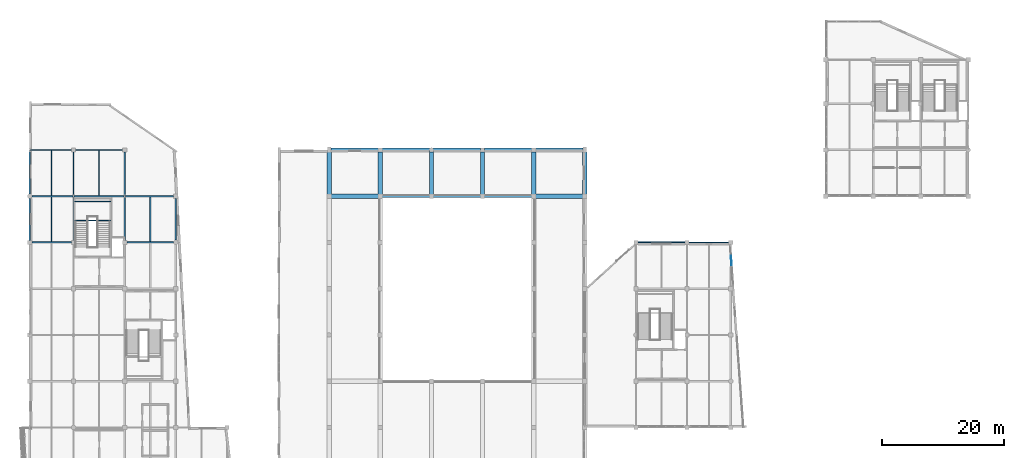
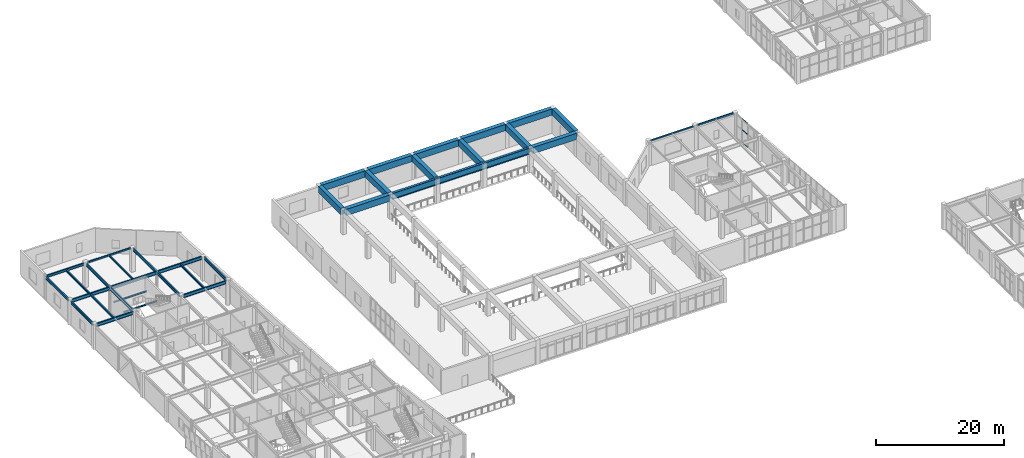
# One storey, part 29 of 72: 36 beams, 3 members, 1 element without a shape of its own.
"""IFC4 building model written with IfcOpenShell, lengths in metres."""

from ifc_helpers import new_model, si_unit, direction, frame, origin, origin_2d, place, context, subcontext, project, spatial, rectangle, hollow_rectangle, i_section, extrude, material, layer, layer_set, material_profile, profile_set, type_object, element, aggregate, save


model = new_model("IFC4")

# Units and contexts
model_context = context("Model", 3, precision=1e-05, world=origin(), true_north=direction((0.0, 1.0)))
body_context = subcontext(model_context, "Body", "Model", "MODEL_VIEW")
ifc_project = project(units=[si_unit("LENGTHUNIT", "METRE"), si_unit("AREAUNIT", "SQUARE_METRE"), si_unit("VOLUMEUNIT", "CUBIC_METRE"), si_unit("PLANEANGLEUNIT", "RADIAN"), si_unit("MASSUNIT", "GRAM", prefix="KILO")], contexts=[model_context])

# Site, building, storey
site_placement = place(None, origin())
site = spatial("IfcSite", under=ifc_project, at=site_placement, CompositionType="ELEMENT")
building_placement = place(site_placement, origin())
building = spatial("IfcBuilding", under=site, at=building_placement, Name="Xicomal Pleat Aquarium", CompositionType="ELEMENT")
storey_placement = place(building_placement, frame((0.0, 0.0, 10.5)))
storey = spatial("IfcBuildingStorey", under=building, at=storey_placement, Name="L03", CompositionType="ELEMENT", Elevation=10.5)

# Beams
ifc_material_1 = material(Name="Concrete C45/55", Category="concrete")
ifc_material_profile_1 = material_profile(ifc_material_1, rectangle(XDim=0.699951171875, YDim=1.199951171875, at=origin_2d()), Name="RC 700x1200")
ifc_profile_set_1 = profile_set([ifc_material_profile_1], Name="Concrete C45/55")
beam_type_1 = type_object("IfcBeamType", Name="BM-RC-700x1200", PredefinedType="SPANDREL", material=ifc_profile_set_1)
beam_1_placement = place(storey_placement, frame((52.5, 76.0, 4.034912109375), z_axis=(1.0, 0.0, 0.0), x_axis=(0.0, 1.0, 0.0)))
element("IfcBeam", 1, at=beam_1_placement, inside=storey, type_object=beam_type_1, Name="Ocean hall shell edge girder 07-08/L", PredefinedType="SPANDREL", context=body_context, shape_type="SweptSolid", body=[
    extrude(rectangle(XDim=0.699951171875, YDim=1.199951171875, at=origin_2d()), origin(), (0.0, 0.0, 1.0), 7.800048828125),
])
beam_2_placement = place(storey_placement, frame((86.10009765625, 76.0, 4.034912109375), z_axis=(1.0, 0.0, 0.0), x_axis=(0.0, 1.0, 0.0)))
element("IfcBeam", 2, at=beam_2_placement, inside=storey, type_object=beam_type_1, Name="Ocean hall shell edge girder 11-12/L", PredefinedType="SPANDREL", context=body_context, shape_type="SweptSolid", body=[
    extrude(rectangle(XDim=0.699951171875, YDim=1.199951171875, at=origin_2d()), origin(), (0.0, 0.0, 1.0), 7.7998046875),
])
for number, where, z_axis, x_axis, name in (
    (3, (52.5, 83.60009765625, 4.034912109375), (1.0, 0.0, 0.0), (0.0, 1.0, 0.0), "Ocean hall shell edge girder 07-08/M"),
    (4, (60.89990234375, 83.60009765625, 4.034912109375), (1.0, 0.0, 0.0), (0.0, 1.0, 0.0), "Ocean hall shell edge girder 08-09/M"),
    (5, (69.300048828125, 83.60009765625, 4.034912109375), (1.0, 0.0, 0.0), (0.0, 1.0, 0.0), "Ocean hall shell edge girder 09-10/M"),
    (6, (77.699951171875, 83.60009765625, 4.034912109375), (1.0, 0.0, 0.0), (0.0, 1.0, 0.0), "Ocean hall shell edge girder 10-11/M"),
):
    element("IfcBeam", number, at=place(storey_placement, frame(where, z_axis=z_axis, x_axis=x_axis)), inside=storey, type_object=beam_type_1, Name=name, PredefinedType="SPANDREL", context=body_context, shape_type="SweptSolid", body=[
        extrude(rectangle(XDim=0.699951171875, YDim=1.199951171875, at=origin_2d()), origin(), (0.0, 0.0, 1.0), 7.800048828125),
    ])
beam_3_placement = place(storey_placement, frame((86.10009765625, 83.60009765625, 4.034912109375), z_axis=(1.0, 0.0, 0.0), x_axis=(0.0, 1.0, 0.0)))
element("IfcBeam", 7, at=beam_3_placement, inside=storey, type_object=beam_type_1, Name="Ocean hall shell edge girder 11-12/M", PredefinedType="SPANDREL", context=body_context, shape_type="SweptSolid", body=[
    extrude(rectangle(XDim=0.699951171875, YDim=1.199951171875, at=origin_2d()), origin(), (0.0, 0.0, 1.0), 7.7998046875),
])
for number, where, z_axis, x_axis, name in (
    (8, (52.199951171875, 76.300048828125, 4.034912109375), (0.0, 1.0, 0.0), (-1.0, 0.0, 0.0), "Ocean hall visible shell edge beam 07 L-M"),
    (9, (60.60009765625, 76.300048828125, 4.034912109375), (0.0, 1.0, 0.0), (-1.0, 0.0, 0.0), "Ocean hall visible shell edge beam 08 L-M"),
    (10, (69.0, 76.300048828125, 4.034912109375), (0.0, 1.0, 0.0), (-1.0, 0.0, 0.0), "Ocean hall visible shell edge beam 09 L-M"),
    (11, (77.39990234375, 76.300048828125, 4.034912109375), (0.0, 1.0, 0.0), (-1.0, 0.0, 0.0), "Ocean hall visible shell edge beam 10 L-M"),
    (12, (85.800048828125, 76.300048828125, 4.034912109375), (0.0, 1.0, 0.0), (-1.0, 0.0, 0.0), "Ocean hall visible shell edge beam 11 L-M"),
    (13, (94.199951171875, 76.300048828125, 4.034912109375), (0.0, 1.0, 0.0), (-1.0, 0.0, 0.0), "Ocean hall visible shell edge beam 12 L-M"),
):
    element("IfcBeam", number, at=place(storey_placement, frame(where, z_axis=z_axis, x_axis=x_axis)), inside=storey, type_object=beam_type_1, Name=name, PredefinedType="SPANDREL", context=body_context, shape_type="SweptSolid", body=[
        extrude(rectangle(XDim=0.699951171875, YDim=1.199951171875, at=origin_2d()), origin(), (0.0, 0.0, 1.0), 7.0),
    ])
ifc_material_2 = material(Name="Structural steel A992 Gr 50", Category="steel")
ifc_material_profile_2 = material_profile(ifc_material_2, i_section(OverallWidth=0.39990234375, OverallDepth=1.199951171875, WebThickness=0.02001953125, FlangeThickness=0.035888671875, at=origin_2d()), Name="IR 1200x412")
ifc_profile_set_2 = profile_set([ifc_material_profile_2], Name="Structural steel A992 Gr 50")
beam_type_2 = type_object("IfcBeamType", Name="BM-STL-IR1200", PredefinedType="BEAM", material=ifc_profile_set_2)
beam_4_placement = place(storey_placement, frame((60.89990234375, 76.0, 4.034912109375), z_axis=(1.0, 0.0, 0.0), x_axis=(0.0, 1.0, 0.0)))
element("IfcBeam", 14, at=beam_4_placement, inside=storey, type_object=beam_type_2, Name="Ocean hall shell edge girder 08-11/L", PredefinedType="BEAM", context=body_context, shape_type="SweptSolid", body=[
    extrude(i_section(OverallWidth=0.39990234375, OverallDepth=1.199951171875, WebThickness=0.02001953125, FlangeThickness=0.035888671875, at=origin_2d()), origin(), (0.0, 0.0, 1.0), 24.60009765625),
])
ifc_material_3 = material(Name="Structural steel A992 Gr 50", Category="steel")
ifc_material_profile_3 = material_profile(ifc_material_3, i_section(OverallWidth=0.201904296875, OverallDepth=0.2470703125, WebThickness=0.00732421875, FlangeThickness=0.010986328125, at=origin_2d()), Name="IR 250x49")
ifc_profile_set_3 = profile_set([ifc_material_profile_3], Name="Structural steel A992 Gr 50")
beam_type_3 = type_object("IfcBeamType", Name="BM-STL-IR250", PredefinedType="JOIST", material=ifc_profile_set_3)
for number, where, z_axis, x_axis, name in (
    (15, (10.320068359375, 75.14990234375, 2.0791015625), (1.0, 0.0, 0.0), (0.0, 1.0, 0.0), "ST-03-L03 half-landing bearer beam 1"),
    (16, (10.320068359375, 72.02587890625, 2.0791015625), (1.0, 0.0, 0.0), (0.0, 1.0, 0.0), "ST-03-L03 half-landing bearer beam 2"),
):
    element("IfcBeam", number, at=place(storey_placement, frame(where, z_axis=z_axis, x_axis=x_axis)), inside=storey, type_object=beam_type_3, Name=name, PredefinedType="JOIST", context=body_context, shape_type="SweptSolid", body=[
        extrude(i_section(OverallWidth=0.201904296875, OverallDepth=0.2470703125, WebThickness=0.00732421875, FlangeThickness=0.010986328125, at=origin_2d()), origin(), (0.0, 0.0, 1.0), 6.02001953125),
    ])
ifc_material_4 = material(Name="Structural steel A992 Gr 50", Category="steel")
ifc_material_profile_4 = material_profile(ifc_material_4, i_section(OverallWidth=0.202880859375, OverallDepth=0.302978515625, WebThickness=0.007568359375, FlangeThickness=0.01318359375, at=origin_2d()), Name="IR 310x60")
ifc_profile_set_4 = profile_set([ifc_material_profile_4], Name="Structural steel A992 Gr 50")
beam_type_4 = type_object("IfcBeamType", Name="BM-STL-IR310", PredefinedType="JOIST", material=ifc_profile_set_4)
beam_5_placement = place(storey_placement, frame((14.39990234375, 76.117919921875, 4.4384765625), z_axis=(0.0, 1.0, 0.0), x_axis=(-1.0, 0.0, 0.0)))
element("IfcBeam", 17, at=beam_5_placement, inside=storey, type_object=beam_type_4, Name="L03 framing beam FBJ-L03-02-L-1", PredefinedType="JOIST", context=body_context, shape_type="SweptSolid", body=[
    extrude(i_section(OverallWidth=0.202880859375, OverallDepth=0.302978515625, WebThickness=0.007568359375, FlangeThickness=0.01318359375, at=origin_2d()), origin(), (0.0, 0.0, 1.0), 7.379150390625),
])
ifc_material_5 = material(Name="Structural steel A992 Gr 50", Category="steel")
ifc_material_profile_5 = material_profile(ifc_material_5, i_section(OverallWidth=0.205078125, OverallDepth=0.35400390625, WebThickness=0.009521484375, FlangeThickness=0.016845703125, at=origin_2d()), Name="IR 360x79")
ifc_profile_set_5 = profile_set([ifc_material_profile_5], Name="Structural steel A992 Gr 50")
beam_type_5 = type_object("IfcBeamType", Name="BM-STL-IR360", PredefinedType="JOIST", material=ifc_profile_set_5)
beam_6_placement = place(storey_placement, frame((6.60009765625, 76.117919921875, 4.4130859375), z_axis=(0.0, 1.0, 0.0), x_axis=(-1.0, 0.0, 0.0)))
element("IfcBeam", 18, at=beam_6_placement, inside=storey, type_object=beam_type_5, Name="L03 framing beam FBJ-L03-01-L-1", PredefinedType="JOIST", context=body_context, shape_type="SweptSolid", body=[
    extrude(i_section(OverallWidth=0.205078125, OverallDepth=0.35400390625, WebThickness=0.009521484375, FlangeThickness=0.016845703125, at=origin_2d()), origin(), (0.0, 0.0, 1.0), 7.382080078125),
])
beam_7_placement = place(storey_placement, frame((22.800048828125, 68.51806640625, 4.4130859375), z_axis=(0.0, 1.0, 0.0), x_axis=(-1.0, 0.0, 0.0)))
element("IfcBeam", 19, at=beam_7_placement, inside=storey, type_object=beam_type_5, Name="L03 framing beam FBJ-L03-03-K-1", PredefinedType="JOIST", context=body_context, shape_type="SweptSolid", body=[
    extrude(i_section(OverallWidth=0.205078125, OverallDepth=0.35400390625, WebThickness=0.009521484375, FlangeThickness=0.016845703125, at=origin_2d()), origin(), (0.0, 0.0, 1.0), 7.364013671875),
])
ifc_material_6 = material(Name="Structural steel A992 Gr 50", Category="steel")
ifc_material_profile_6 = material_profile(ifc_material_6, i_section(OverallWidth=0.180908203125, OverallDepth=0.4169921875, WebThickness=0.010986328125, FlangeThickness=0.018310546875, at=origin_2d()), Name="IR 410x85")
ifc_profile_set_6 = profile_set([ifc_material_profile_6], Name="Structural steel A992 Gr 50")
beam_type_6 = type_object("IfcBeamType", Name="BM-STL-IR410", PredefinedType="JOIST", material=ifc_profile_set_6)
beam_8_placement = place(storey_placement, frame((6.60009765625, 68.51806640625, 4.381591796875), z_axis=(0.0, 1.0, 0.0), x_axis=(-1.0, 0.0, 0.0)))
element("IfcBeam", 20, at=beam_8_placement, inside=storey, type_object=beam_type_6, Name="L03 framing beam FBJ-L03-01-K-1", PredefinedType="JOIST", context=body_context, shape_type="SweptSolid", body=[
    extrude(i_section(OverallWidth=0.180908203125, OverallDepth=0.4169921875, WebThickness=0.010986328125, FlangeThickness=0.018310546875, at=origin_2d()), origin(), (0.0, 0.0, 1.0), 7.364013671875),
])
ifc_material_7 = material(Name="Structural steel A992 Gr 50", Category="steel")
ifc_material_profile_7 = material_profile(ifc_material_7, i_section(OverallWidth=0.194091796875, OverallDepth=0.468994140625, WebThickness=0.0126953125, FlangeThickness=0.0205078125, at=origin_2d()), Name="IR 460x106")
ifc_profile_set_7 = profile_set([ifc_material_profile_7], Name="Structural steel A992 Gr 50")
beam_type_7 = type_object("IfcBeamType", Name="BM-STL-IR460", PredefinedType="BEAM", material=ifc_profile_set_7)
beam_9_placement = place(storey_placement, frame((3.10107421875, 83.60009765625, 4.35546875), z_axis=(1.0, 0.0, 0.0), x_axis=(0.0, 1.0, 0.0)))
element("IfcBeam", 21, at=beam_9_placement, inside=storey, type_object=beam_type_7, Name="L03 framing beam FGX-L03-01-02-M", PredefinedType="BEAM", context=body_context, shape_type="SweptSolid", body=[
    extrude(i_section(OverallWidth=0.194091796875, OverallDepth=0.468994140625, WebThickness=0.0126953125, FlangeThickness=0.0205078125, at=origin_2d()), origin(), (0.0, 0.0, 1.0), 6.75390625),
])
ifc_material_8 = material(Name="Structural steel A992 Gr 50", Category="steel")
ifc_material_profile_8 = material_profile(ifc_material_8, i_section(OverallWidth=0.2119140625, OverallDepth=0.5439453125, WebThickness=0.01318359375, FlangeThickness=0.021240234375, at=origin_2d()), Name="IR 530x123")
ifc_profile_set_8 = profile_set([ifc_material_profile_8], Name="Structural steel A992 Gr 50")
beam_type_8 = type_object("IfcBeamType", Name="BM-STL-IR530", PredefinedType="BEAM", material=ifc_profile_set_8)
beam_10_placement = place(storey_placement, frame((3.0, 68.7451171875, 4.318115234375), z_axis=(0.0, 1.0, 0.0), x_axis=(-1.0, 0.0, 0.0)))
element("IfcBeam", 22, at=beam_10_placement, inside=storey, type_object=beam_type_8, Name="L03 framing beam FGY-L03-01-K-L", PredefinedType="BEAM", context=body_context, shape_type="SweptSolid", body=[
    extrude(i_section(OverallWidth=0.2119140625, OverallDepth=0.5439453125, WebThickness=0.01318359375, FlangeThickness=0.021240234375, at=origin_2d()), origin(), (0.0, 0.0, 1.0), 6.884765625),
])
beam_11_placement = place(storey_placement, frame((3.0, 76.3701171875, 4.318115234375), z_axis=(0.0, 1.0, 0.0), x_axis=(-1.0, 0.0, 0.0)))
element("IfcBeam", 23, at=beam_11_placement, inside=storey, type_object=beam_type_8, Name="L03 framing beam FGY-L03-01-L-M", PredefinedType="BEAM", context=body_context, shape_type="SweptSolid", body=[
    extrude(i_section(OverallWidth=0.2119140625, OverallDepth=0.5439453125, WebThickness=0.01318359375, FlangeThickness=0.021240234375, at=origin_2d()), origin(), (0.0, 0.0, 1.0), 7.12890625),
])
for number, where, z_axis, x_axis, name in (
    (24, (10.199951171875, 68.7451171875, 4.318115234375), (0.0, 1.0, 0.0), (-1.0, 0.0, 0.0), "L03 framing beam FGY-L03-02-K-L"),
    (25, (10.199951171875, 76.10107421875, 4.318115234375), (0.0, 1.0, 0.0), (-1.0, 0.0, 0.0), "L03 framing beam FGY-L03-02-L-M"),
    (26, (18.60009765625, 68.7451171875, 4.318115234375), (0.0, 1.0, 0.0), (-1.0, 0.0, 0.0), "L03 framing beam FGY-L03-03-K-L"),
    (27, (18.60009765625, 76.10107421875, 4.318115234375), (0.0, 1.0, 0.0), (-1.0, 0.0, 0.0), "L03 framing beam FGY-L03-03-L-M"),
):
    element("IfcBeam", number, at=place(storey_placement, frame(where, z_axis=z_axis, x_axis=x_axis)), inside=storey, type_object=beam_type_8, Name=name, PredefinedType="BEAM", context=body_context, shape_type="SweptSolid", body=[
        extrude(i_section(OverallWidth=0.2119140625, OverallDepth=0.5439453125, WebThickness=0.01318359375, FlangeThickness=0.021240234375, at=origin_2d()), origin(), (0.0, 0.0, 1.0), 7.15380859375),
    ])
beam_12_placement = place(storey_placement, frame((27.0, 68.77001953125, 4.318115234375), z_axis=(0.0, 1.0, 0.0), x_axis=(-1.0, 0.0, 0.0)))
element("IfcBeam", 28, at=beam_12_placement, inside=storey, type_object=beam_type_8, Name="L03 framing beam FGY-L03-04-K-L", PredefinedType="BEAM", context=body_context, shape_type="SweptSolid", body=[
    extrude(i_section(OverallWidth=0.2119140625, OverallDepth=0.5439453125, WebThickness=0.01318359375, FlangeThickness=0.021240234375, at=origin_2d()), origin(), (0.0, 0.0, 1.0), 6.885009765625),
])
ifc_material_9 = material(Name="Structural steel A992 Gr 50", Category="steel")
ifc_material_profile_9 = material_profile(ifc_material_9, i_section(OverallWidth=0.22998046875, OverallDepth=0.616943359375, WebThickness=0.01318359375, FlangeThickness=0.022216796875, at=origin_2d()), Name="IR 610x140")
ifc_profile_set_9 = profile_set([ifc_material_profile_9], Name="Structural steel A992 Gr 50")
beam_type_9 = type_object("IfcBeamType", Name="BM-STL-IR610", PredefinedType="BEAM", material=ifc_profile_set_9)
beam_13_placement = place(storey_placement, frame((3.344970703125, 68.39990234375, 4.281494140625), z_axis=(1.0, 0.0, 0.0), x_axis=(0.0, 1.0, 0.0)))
element("IfcBeam", 29, at=beam_13_placement, inside=storey, type_object=beam_type_9, Name="L03 framing beam FGX-L03-01-02-K", PredefinedType="BEAM", context=body_context, shape_type="SweptSolid", body=[
    extrude(i_section(OverallWidth=0.22998046875, OverallDepth=0.616943359375, WebThickness=0.01318359375, FlangeThickness=0.022216796875, at=origin_2d()), origin(), (0.0, 0.0, 1.0), 6.510009765625),
])
beam_14_placement = place(storey_placement, frame((18.945068359375, 68.39990234375, 4.281494140625), z_axis=(1.0, 0.0, 0.0), x_axis=(0.0, 1.0, 0.0)))
element("IfcBeam", 30, at=beam_14_placement, inside=storey, type_object=beam_type_9, Name="L03 framing beam FGX-L03-03-04-K", PredefinedType="BEAM", context=body_context, shape_type="SweptSolid", body=[
    extrude(i_section(OverallWidth=0.22998046875, OverallDepth=0.616943359375, WebThickness=0.01318359375, FlangeThickness=0.022216796875, at=origin_2d()), origin(), (0.0, 0.0, 1.0), 7.684814453125),
])
beam_15_placement = place(storey_placement, frame((3.3701171875, 76.0, 4.281494140625), z_axis=(1.0, 0.0, 0.0), x_axis=(0.0, 1.0, 0.0)))
element("IfcBeam", 31, at=beam_15_placement, inside=storey, type_object=beam_type_9, Name="L03 framing beam FGX-L03-01-02-L", PredefinedType="BEAM", context=body_context, shape_type="SweptSolid", body=[
    extrude(i_section(OverallWidth=0.22998046875, OverallDepth=0.616943359375, WebThickness=0.01318359375, FlangeThickness=0.022216796875, at=origin_2d()), origin(), (0.0, 0.0, 1.0), 6.72900390625),
])
beam_16_placement = place(storey_placement, frame((10.301025390625, 76.0, 4.281494140625), z_axis=(1.0, 0.0, 0.0), x_axis=(0.0, 1.0, 0.0)))
element("IfcBeam", 32, at=beam_16_placement, inside=storey, type_object=beam_type_9, Name="L03 framing beam FGX-L03-02-03-L", PredefinedType="BEAM", context=body_context, shape_type="SweptSolid", body=[
    extrude(i_section(OverallWidth=0.22998046875, OverallDepth=0.616943359375, WebThickness=0.01318359375, FlangeThickness=0.022216796875, at=origin_2d()), origin(), (0.0, 0.0, 1.0), 8.197998046875),
])
beam_17_placement = place(storey_placement, frame((18.700927734375, 76.0, 4.281494140625), z_axis=(1.0, 0.0, 0.0), x_axis=(0.0, 1.0, 0.0)))
element("IfcBeam", 33, at=beam_17_placement, inside=storey, type_object=beam_type_9, Name="L03 framing beam FGX-L03-03-04-L", PredefinedType="BEAM", context=body_context, shape_type="SweptSolid", body=[
    extrude(i_section(OverallWidth=0.22998046875, OverallDepth=0.616943359375, WebThickness=0.01318359375, FlangeThickness=0.022216796875, at=origin_2d()), origin(), (0.0, 0.0, 1.0), 7.9541015625),
])
ifc_material_10 = material(Name="Structural steel A500 Gr C", Category="steel")
ifc_material_profile_10 = material_profile(ifc_material_10, hollow_rectangle(XDim=0.14990234375, YDim=0.25, WallThickness=0.010009765625, at=origin_2d()), Name="OR 250x150x10")
ifc_profile_set_10 = profile_set([ifc_material_profile_10], Name="Structural steel A500 Gr C")
beam_type_10 = type_object("IfcBeamType", Name="BM-STL-OR250", PredefinedType="SPANDREL", material=ifc_profile_set_10)
beam_18_placement = place(storey_placement, frame((102.945068359375, 68.39990234375, 4.449951171875), z_axis=(1.0, 0.0, 0.0), x_axis=(0.0, 1.0, 0.0)))
element("IfcBeam", 34, at=beam_18_placement, inside=storey, type_object=beam_type_10, Name="L03 framing beam FGX-L03-13-14-K", PredefinedType="SPANDREL", context=body_context, shape_type="SweptSolid", body=[
    extrude(hollow_rectangle(XDim=0.14990234375, YDim=0.25, WallThickness=0.010009765625, at=origin_2d()), origin(), (0.0, 0.0, 1.0), 7.7099609375),
])
ifc_material_11 = material(Name="Structural steel A500 Gr C", Category="steel")
ifc_material_profile_11 = material_profile(ifc_material_11, hollow_rectangle(XDim=0.199951171875, YDim=0.300048828125, WallThickness=0.011962890625, at=origin_2d()), Name="OR 300x200x12")
ifc_profile_set_11 = profile_set([ifc_material_profile_11], Name="Structural steel A500 Gr C")
beam_type_11 = type_object("IfcBeamType", Name="BM-STL-OR300", PredefinedType="SPANDREL", material=ifc_profile_set_11)
beam_19_placement = place(storey_placement, frame((111.344970703125, 68.39990234375, 4.4599609375), z_axis=(1.0, 0.0, 0.0), x_axis=(0.0, 1.0, 0.0)))
element("IfcBeam", 35, at=beam_19_placement, inside=storey, type_object=beam_type_11, Name="L03 framing beam FGX-L03-14-15-K", PredefinedType="SPANDREL", context=body_context, shape_type="SweptSolid", body=[
    extrude(hollow_rectangle(XDim=0.199951171875, YDim=0.300048828125, WallThickness=0.011962890625, at=origin_2d()), origin(), (0.0, 0.0, 1.0), 6.510009765625),
])
beam_20_placement = place(storey_placement, frame((10.544921875, 83.60009765625, 4.43994140625), z_axis=(1.0, 0.0, 0.0), x_axis=(0.0, 1.0, 0.0)))
element("IfcBeam", 36, at=beam_20_placement, inside=storey, type_object=beam_type_11, Name="L03 framing beam FGX-L03-02-03-M", PredefinedType="SPANDREL", context=body_context, shape_type="SweptSolid", body=[
    extrude(hollow_rectangle(XDim=0.199951171875, YDim=0.300048828125, WallThickness=0.011962890625, at=origin_2d()), origin(), (0.0, 0.0, 1.0), 7.7099609375),
])

# Curtain wall, members
ifc_material_12 = material(Name="Bronze anodized aluminium 6063-T6", Category="aluminium")
ifc_layer = layer(ifc_material_12, 0.159912109375)
ifc_layer_set = layer_set([ifc_layer], Name="Bronze anodized aluminium 6063-T6")
curtain_wall_type = type_object("IfcCurtainWallType", Name="CW-SYS-03", PredefinedType="NOTDEFINED", material=ifc_layer_set)
curtain_wall_placement = place(storey_placement, origin())
curtain_wall = element("IfcCurtainWall", 37, at=curtain_wall_placement, inside=storey, type_object=curtain_wall_type, Name="L03 unitised curtain wall CW-L03-158", PredefinedType="NOTDEFINED")
ifc_material_13 = material(Name="Bronze anodized aluminium 6063-T6", Category="aluminium")
ifc_material_profile_12 = material_profile(ifc_material_13, hollow_rectangle(XDim=0.0849609375, YDim=0.169921875, WallThickness=0.0048828125, at=origin_2d()), Name="ALU TRAN 85x170")
ifc_profile_set_12 = profile_set([ifc_material_profile_12], Name="Bronze anodized aluminium 6063-T6")
member_type = type_object("IfcMemberType", Name="CWT-85x170", PredefinedType="USERDEFINED", material=ifc_profile_set_12)
member_1_placement = place(storey_placement, frame((118.218994140625, 66.197998046875, 0.04248046875), z_axis=(0.072131214167, -0.997395151353, 0.0), x_axis=(0.997395151353, 0.072131214167, 0.0)))
member_1 = element("IfcMember", 38, at=member_1_placement, type_object=member_type, Name="CW-03 transom 2.1", ObjectType="TRANSOM", PredefinedType="USERDEFINED", context=body_context, shape_type="SweptSolid", body=[
    extrude(hollow_rectangle(XDim=0.0849609375, YDim=0.169921875, WallThickness=0.0048828125, at=origin_2d()), origin(), (0.0, 0.0, 1.0), 1.55029296875),
])
member_2_placement = place(storey_placement, frame((118.218994140625, 66.197998046875, 2.489013671875), z_axis=(0.072131214167, -0.997395151353, 0.0), x_axis=(0.997395151353, 0.072131214167, 0.0)))
member_2 = element("IfcMember", 39, at=member_2_placement, type_object=member_type, Name="CW-03 transom 2.2", ObjectType="TRANSOM", PredefinedType="USERDEFINED", context=body_context, shape_type="SweptSolid", body=[
    extrude(hollow_rectangle(XDim=0.0849609375, YDim=0.169921875, WallThickness=0.0048828125, at=origin_2d()), origin(), (0.0, 0.0, 1.0), 1.55029296875),
])
member_3_placement = place(storey_placement, frame((118.218994140625, 66.197998046875, 4.5673828125), z_axis=(0.072131214167, -0.997395151353, 0.0), x_axis=(0.997395151353, 0.072131214167, 0.0)))
member_3 = element("IfcMember", 40, at=member_3_placement, type_object=member_type, Name="CW-03 transom 2.3", ObjectType="TRANSOM", PredefinedType="USERDEFINED", context=body_context, shape_type="SweptSolid", body=[
    extrude(hollow_rectangle(XDim=0.0849609375, YDim=0.169921875, WallThickness=0.0048828125, at=origin_2d()), origin(), (0.0, 0.0, 1.0), 1.55029296875),
])
aggregate(curtain_wall, [member_1, member_2, member_3])

save(model, "model.ifc")
